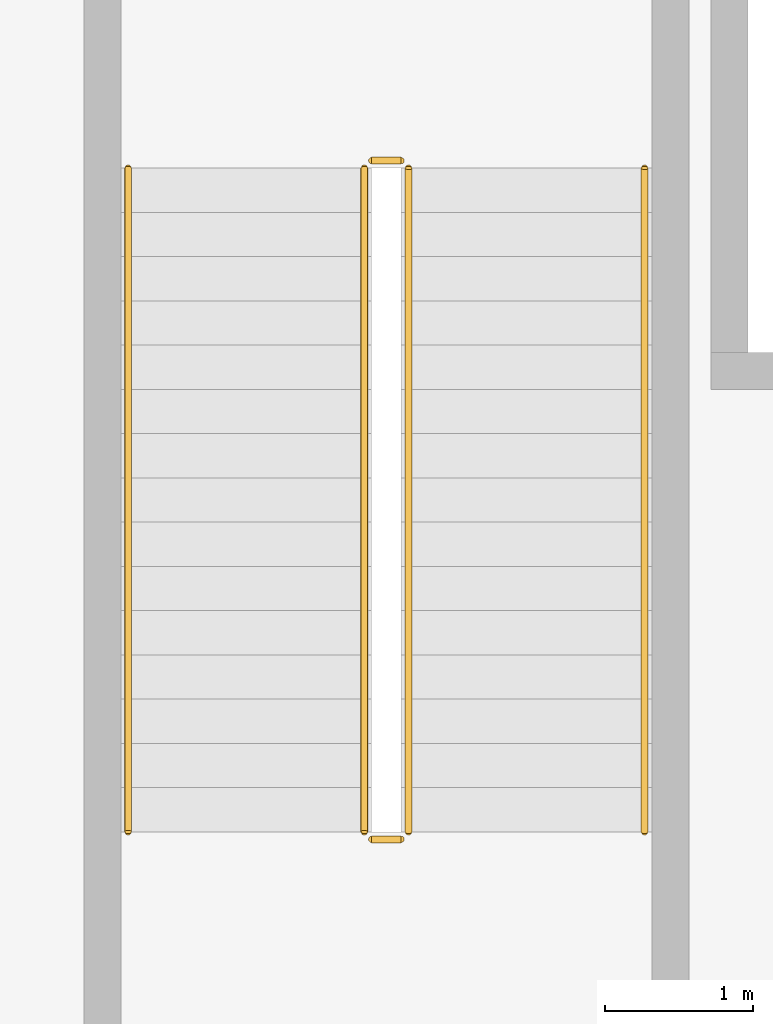
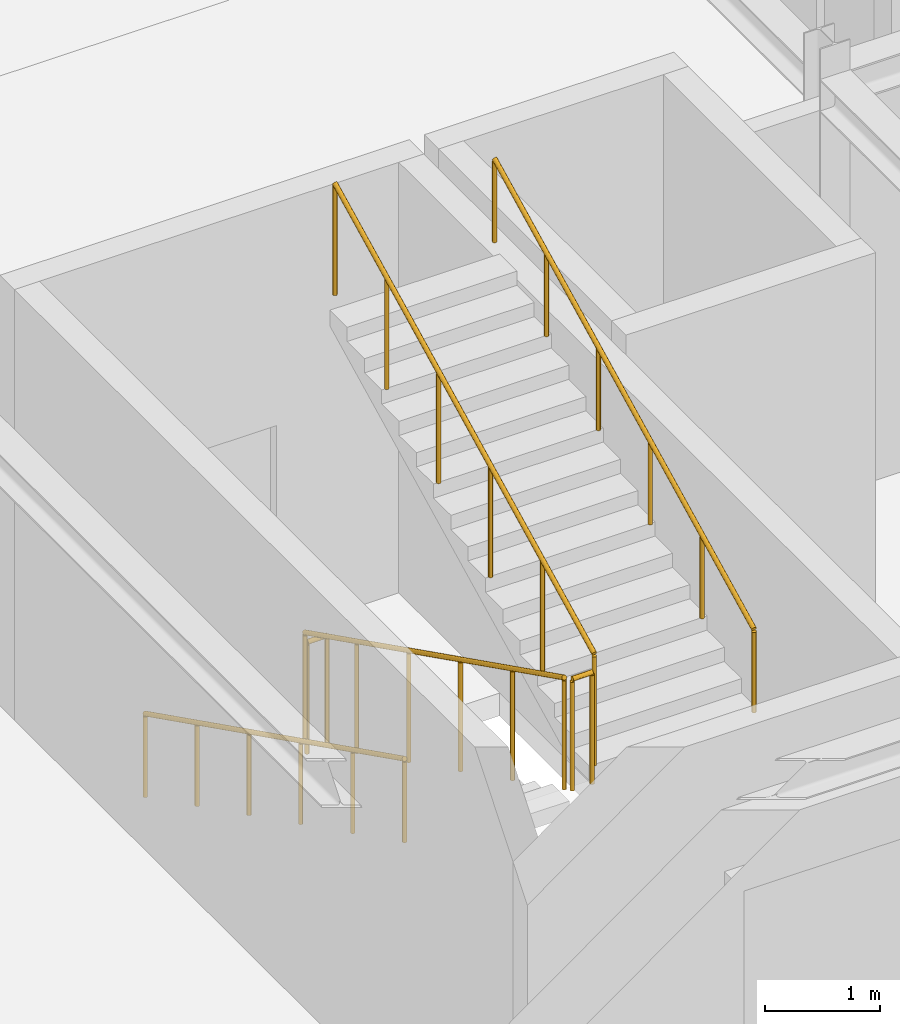
# One storey, part 59 of 61: 6 railings.
"""IFC4 building model written with IfcOpenShell, lengths in metres."""

from ifc_helpers import new_model, si_unit, direction, frame, origin, origin_2d, place, context, subcontext, project, spatial, circle, extrude, material, type_object, element, save


model = new_model("IFC4")

# Units and contexts
model_context = context("Model", 3, precision=1e-05, world=origin(), true_north=direction((0.0, 1.0)))
body_context = subcontext(model_context, "Body", "Model", "MODEL_VIEW")
ifc_project = project(units=[si_unit("LENGTHUNIT", "METRE"), si_unit("AREAUNIT", "SQUARE_METRE"), si_unit("VOLUMEUNIT", "CUBIC_METRE"), si_unit("PLANEANGLEUNIT", "RADIAN"), si_unit("MASSUNIT", "GRAM", prefix="KILO")], contexts=[model_context])

# Site, building, storey
site_placement = place(None, origin())
site = spatial("IfcSite", under=ifc_project, at=site_placement, CompositionType="ELEMENT")
building_placement = place(site_placement, origin())
building = spatial("IfcBuilding", under=site, at=building_placement, Name="Bozkorgan Art Gallery", CompositionType="ELEMENT")
storey_placement = place(building_placement, frame((0.0, 0.0, 10.199951171875)))
storey = spatial("IfcBuildingStorey", under=building, at=storey_placement, Name="L02", CompositionType="ELEMENT", Elevation=10.199951171875)

# Railings
ifc_material = material(Name="Steel S355J2", Category="steel")
railing_type_1 = type_object("IfcRailingType", Name="RAIL-GRD-115", PredefinedType="GUARDRAIL", material=ifc_material)
railing_1_placement = place(storey_placement, frame((149.050048828125, 9.75, 0.150146484375)))
element("IfcRailing", 1, at=railing_1_placement, inside=storey, type_object=railing_type_1, Name="L02 ST4 stair guard 1", PredefinedType="GUARDRAIL", context=body_context, shape_type="SweptSolid", body=[
    extrude(circle(Radius=0.02392578125, at=origin_2d()), frame((0.0, 0.0, 1.17578125), z_axis=(0.0, -0.894427191, 0.4472135955), x_axis=(1.0, 0.0, 0.0)), (0.0, 0.0, 1.0), 5.03125),
    extrude(circle(Radius=0.02099609375, at=origin_2d()), origin(), (0.0, 0.0, 1.0), 1.15185546875),
    extrude(circle(Radius=0.02099609375, at=origin_2d()), frame((0.0, -0.89990234375, 0.449951171875)), (0.0, 0.0, 1.0), 1.15185546875),
    extrude(circle(Radius=0.02099609375, at=origin_2d()), frame((0.0, -1.800048828125, 0.89990234375)), (0.0, 0.0, 1.0), 1.15185546875),
    extrude(circle(Radius=0.02099609375, at=origin_2d()), frame((0.0, -2.699951171875, 1.35009765625)), (0.0, 0.0, 1.0), 1.15185546875),
    extrude(circle(Radius=0.02099609375, at=origin_2d()), frame((0.0, -3.60009765625, 1.800048828125)), (0.0, 0.0, 1.0), 1.15185546875),
    extrude(circle(Radius=0.02099609375, at=origin_2d()), frame((0.0, -4.5, 2.25)), (0.0, 0.0, 1.0), 1.15185546875),
])
railing_2_placement = place(storey_placement, frame((149.10009765625, 5.199951171875, 2.400146484375)))
element("IfcRailing", 2, at=railing_2_placement, inside=storey, type_object=railing_type_1, Name="L02 ST4 stair guard 2", PredefinedType="GUARDRAIL", context=body_context, shape_type="SweptSolid", body=[
    extrude(circle(Radius=0.02392578125, at=origin_2d()), frame((0.0, 0.0, 1.17578125), z_axis=(1.0, 0.0, 0.0), x_axis=(0.0, 1.0, 0.0)), (0.0, 0.0, 1.0), 0.199951171875),
    extrude(circle(Radius=0.02099609375, at=origin_2d()), origin(), (0.0, 0.0, 1.0), 1.15185546875),
    extrude(circle(Radius=0.02099609375, at=origin_2d()), frame((0.199951171875, 0.0, 0.0)), (0.0, 0.0, 1.0), 1.15185546875),
])
railing_3_placement = place(storey_placement, frame((149.35009765625, 5.25, 2.550048828125)))
element("IfcRailing", 3, at=railing_3_placement, inside=storey, type_object=railing_type_1, Name="L02 ST4 stair guard 3", PredefinedType="GUARDRAIL", context=body_context, shape_type="SweptSolid", body=[
    extrude(circle(Radius=0.02392578125, at=origin_2d()), frame((0.0, 0.0, 1.17578125), z_axis=(0.0, 0.894427191, 0.4472135955), x_axis=(-1.0, 0.0, 0.0)), (0.0, 0.0, 1.0), 5.03125),
    extrude(circle(Radius=0.02099609375, at=origin_2d()), origin(), (0.0, 0.0, 1.0), 1.15185546875),
    extrude(circle(Radius=0.02099609375, at=origin_2d()), frame((0.0, 0.89990234375, 0.449951171875)), (0.0, 0.0, 1.0), 1.15185546875),
    extrude(circle(Radius=0.02099609375, at=origin_2d()), frame((0.0, 1.800048828125, 0.89990234375)), (0.0, 0.0, 1.0), 1.15185546875),
    extrude(circle(Radius=0.02099609375, at=origin_2d()), frame((0.0, 2.699951171875, 1.35009765625)), (0.0, 0.0, 1.0), 1.15185546875),
    extrude(circle(Radius=0.02099609375, at=origin_2d()), frame((0.0, 3.60009765625, 1.800048828125)), (0.0, 0.0, 1.0), 1.15185546875),
    extrude(circle(Radius=0.02099609375, at=origin_2d()), frame((0.0, 4.5, 2.25)), (0.0, 0.0, 1.0), 1.15185546875),
])
railing_4_placement = place(storey_placement, frame((149.10009765625, 9.800048828125, 0.0)))
element("IfcRailing", 4, at=railing_4_placement, inside=storey, type_object=railing_type_1, Name="L02 ST4 stair guard 4", PredefinedType="GUARDRAIL", context=body_context, shape_type="SweptSolid", body=[
    extrude(circle(Radius=0.02392578125, at=origin_2d()), frame((0.0, 0.0, 1.17578125), z_axis=(1.0, 0.0, 0.0), x_axis=(0.0, 1.0, 0.0)), (0.0, 0.0, 1.0), 0.199951171875),
    extrude(circle(Radius=0.02099609375, at=origin_2d()), origin(), (0.0, 0.0, 1.0), 1.15185546875),
    extrude(circle(Radius=0.02099609375, at=origin_2d()), frame((0.199951171875, 0.0, 0.0)), (0.0, 0.0, 1.0), 1.15185546875),
])
railing_type_2 = type_object("IfcRailingType", Name="RAIL-HND-092", PredefinedType="HANDRAIL", material=ifc_material)
railing_5_placement = place(storey_placement, frame((147.449951171875, 9.75, 0.150146484375)))
element("IfcRailing", 5, at=railing_5_placement, inside=storey, type_object=railing_type_2, Name="L02 ST4 stair handrail 1", PredefinedType="HANDRAIL", context=body_context, shape_type="SweptSolid", body=[
    extrude(circle(Radius=0.02392578125, at=origin_2d()), frame((0.0, 0.0, 0.8759765625), z_axis=(0.0, -0.894427191, 0.4472135955), x_axis=(1.0, 0.0, 0.0)), (0.0, 0.0, 1.0), 5.03125),
    extrude(circle(Radius=0.02099609375, at=origin_2d()), origin(), (0.0, 0.0, 1.0), 0.851806640625),
    extrude(circle(Radius=0.02099609375, at=origin_2d()), frame((0.0, -0.89990234375, 0.449951171875)), (0.0, 0.0, 1.0), 0.851806640625),
    extrude(circle(Radius=0.02099609375, at=origin_2d()), frame((0.0, -1.800048828125, 0.89990234375)), (0.0, 0.0, 1.0), 0.851806640625),
    extrude(circle(Radius=0.02099609375, at=origin_2d()), frame((0.0, -2.699951171875, 1.35009765625)), (0.0, 0.0, 1.0), 0.851806640625),
    extrude(circle(Radius=0.02099609375, at=origin_2d()), frame((0.0, -3.60009765625, 1.800048828125)), (0.0, 0.0, 1.0), 0.851806640625),
    extrude(circle(Radius=0.02099609375, at=origin_2d()), frame((0.0, -4.5, 2.25)), (0.0, 0.0, 1.0), 0.851806640625),
])
railing_6_placement = place(storey_placement, frame((150.949951171875, 5.25, 2.550048828125)))
element("IfcRailing", 6, at=railing_6_placement, inside=storey, type_object=railing_type_2, Name="L02 ST4 stair handrail 2", PredefinedType="HANDRAIL", context=body_context, shape_type="SweptSolid", body=[
    extrude(circle(Radius=0.02392578125, at=origin_2d()), frame((0.0, 0.0, 0.8759765625), z_axis=(0.0, 0.894427191, 0.4472135955), x_axis=(-1.0, 0.0, 0.0)), (0.0, 0.0, 1.0), 5.03125),
    extrude(circle(Radius=0.02099609375, at=origin_2d()), origin(), (0.0, 0.0, 1.0), 0.851806640625),
    extrude(circle(Radius=0.02099609375, at=origin_2d()), frame((0.0, 0.89990234375, 0.449951171875)), (0.0, 0.0, 1.0), 0.851806640625),
    extrude(circle(Radius=0.02099609375, at=origin_2d()), frame((0.0, 1.800048828125, 0.89990234375)), (0.0, 0.0, 1.0), 0.851806640625),
    extrude(circle(Radius=0.02099609375, at=origin_2d()), frame((0.0, 2.699951171875, 1.35009765625)), (0.0, 0.0, 1.0), 0.851806640625),
    extrude(circle(Radius=0.02099609375, at=origin_2d()), frame((0.0, 3.60009765625, 1.800048828125)), (0.0, 0.0, 1.0), 0.851806640625),
    extrude(circle(Radius=0.02099609375, at=origin_2d()), frame((0.0, 4.5, 2.25)), (0.0, 0.0, 1.0), 0.851806640625),
])

save(model, "model.ifc")
